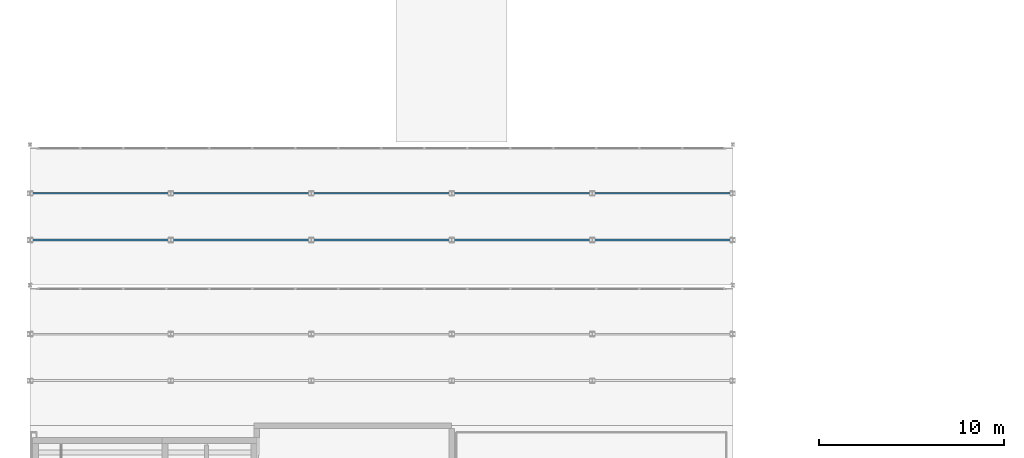
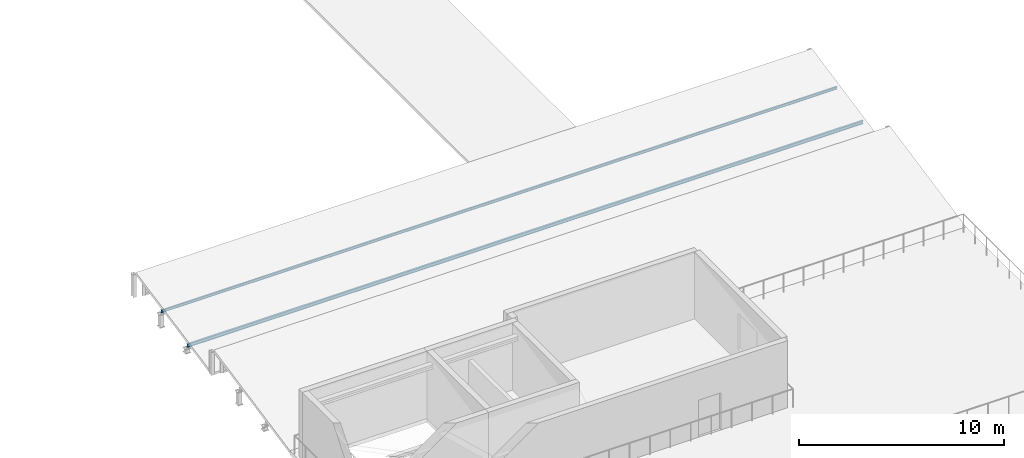
# One storey, part 24 of 114: 2 members.
"""IFC4 building model written with IfcOpenShell, lengths in metres."""

import ifcopenshell
import ifcopenshell.guid

model = None  # the IFC model being written
_history = None  # IfcOwnerHistory: only IFC2X3 demands one
_inside = {}  # id of a spatial element -> (the spatial element, [elements in it])
_under = {}  # id of a project, library or spatial element -> (it, [spatial elements below it])
_declared = {}  # id of a project -> (the project, [libraries it declares])
_typed = {}  # id of a type object -> (the type object, [elements of that type])
_made_of = {}  # id of a material, layer set ... -> (it, [elements and type objects made of it])


def new_model(schema):
    """Start an empty IFC model of exactly this schema.

    Asked for "IFC4X3", IfcOpenShell would pick the latest addendum, in which some entities
    have other attributes; the version numbers below select the first issue.
    IFC2X3 requires an IfcOwnerHistory on every rooted entity: one is made here for all.
    """
    global model, _history
    if schema == "IFC4X3":
        model = ifcopenshell.file(schema_version=(4, 3, 0, 0))
    else:
        model = ifcopenshell.file(schema=schema)
    _inside.clear()
    _under.clear()
    _declared.clear()
    _typed.clear()
    _made_of.clear()
    _history = None
    if model.schema == "IFC2X3":
        org = make("IfcOrganization", Name="unknown")
        user = make(
            "IfcPersonAndOrganization",
            ThePerson=make("IfcPerson", FamilyName="unknown"),
            TheOrganization=org,
        )
        app = make(
            "IfcApplication",
            ApplicationDeveloper=org,
            Version="unknown",
            ApplicationFullName="unknown",
            ApplicationIdentifier="unknown",
        )
        _history = make(
            "IfcOwnerHistory",
            OwningUser=user,
            OwningApplication=app,
            ChangeAction="ADDED",
            CreationDate=0,
        )
    return model


def make(cls, **values):
    """One entity of the class cls with the attributes given. An attribute that is None is left unset."""
    return model.create_entity(
        cls, **{name: value for name, value in values.items() if value is not None}
    )


def rooted(cls, **values):
    """An entity with a GlobalId (a new one), such as an element, a storey or a relation."""
    return make(cls, GlobalId=ifcopenshell.guid.new(), OwnerHistory=_history, **values)


def si_unit(unit_type, name, prefix=None):
    """IfcSIUnit, for example si_unit("LENGTHUNIT", "METRE", prefix="MILLI")."""
    return make("IfcSIUnit", UnitType=unit_type, Prefix=prefix, Name=name)


def assignment(units):
    """IfcUnitAssignment: the units of a project."""
    return None if units is None else make("IfcUnitAssignment", Units=units)


def point(xyz):
    """IfcCartesianPoint."""
    return None if xyz is None else make("IfcCartesianPoint", Coordinates=xyz)


def direction(xyz):
    """IfcDirection."""
    return None if xyz is None else make("IfcDirection", DirectionRatios=xyz)


def frame(location, z_axis=None, x_axis=None):
    """IfcAxis2Placement3D, a coordinate frame: its origin and axes. An axis left out is left unset."""
    return make(
        "IfcAxis2Placement3D",
        Location=point(location),
        Axis=direction(z_axis),
        RefDirection=direction(x_axis),
    )


def frame_2d(location, x_axis=None):
    """IfcAxis2Placement2D, a coordinate frame in the plane: its origin and x axis."""
    return make(
        "IfcAxis2Placement2D", Location=point(location), RefDirection=direction(x_axis)
    )


def origin():
    """The frame at (0, 0, 0) with its axes left unset."""
    return frame((0.0, 0.0, 0.0))


def origin_2d():
    """The frame at (0, 0) in the plane with its x axis left unset."""
    return frame_2d((0.0, 0.0))


def place(relative_to, where):
    """IfcLocalPlacement: puts the frame where relative to a parent placement (None: the world)."""
    return make(
        "IfcLocalPlacement", PlacementRelTo=relative_to, RelativePlacement=where
    )


def context(
    kind, dimensions, precision=None, world=None, true_north=None, identifier=None
):
    """IfcGeometricRepresentationContext, for example the 3D "Model" context."""
    return make(
        "IfcGeometricRepresentationContext",
        ContextIdentifier=identifier,
        ContextType=kind,
        CoordinateSpaceDimension=dimensions,
        Precision=precision,
        WorldCoordinateSystem=world,
        TrueNorth=true_north,
    )


def subcontext(parent, identifier, kind, view, scale=None):
    """IfcGeometricRepresentationSubContext, for example "Body" below "Model"."""
    return make(
        "IfcGeometricRepresentationSubContext",
        ContextIdentifier=identifier,
        ContextType=kind,
        ParentContext=parent,
        TargetScale=scale,
        TargetView=view,
    )


def project(units=None, contexts=None):
    """IfcProject with its units and contexts."""
    return rooted(
        "IfcProject",
        Name="project",
        RepresentationContexts=contexts,
        UnitsInContext=assignment(units),
    )


def spatial(cls, under=None, at=None, **own):
    """A site, building, storey or space (cls), placed at a placement, below another one or the project."""
    s = rooted(cls, ObjectPlacement=at, **own)
    if under is not None:
        _under.setdefault(under.id(), (under, []))[1].append(s)
    return s


def profile(cls, at=None, kind="AREA", **sizes):
    """A parametric profile (cls). Its sizes go by their IFC names, for example OverallWidth=200.0."""
    return make(cls, ProfileType=kind, Position=at, **sizes)


def i_section(**sizes):
    """IfcIShapeProfileDef."""
    return profile("IfcIShapeProfileDef", **sizes)


def extrude(swept, where, along, depth):
    """IfcExtrudedAreaSolid: the profile swept, set in the frame where, extruded along a direction by depth."""
    return make(
        "IfcExtrudedAreaSolid",
        SweptArea=swept,
        Position=where,
        ExtrudedDirection=direction(along),
        Depth=depth,
    )


def shape(context_of_items, identifier, shape_type, items):
    """IfcShapeRepresentation: the items that make up one representation, for example the "Body"."""
    return make(
        "IfcShapeRepresentation",
        ContextOfItems=context_of_items,
        RepresentationIdentifier=identifier,
        RepresentationType=shape_type,
        Items=items,
    )


def material(Name=None, Category=None):
    """IfcMaterial."""
    return make("IfcMaterial", Name=Name, Category=Category)


def material_profile(
    of_material, cross_section, Name=None, Category=None, Priority=None
):
    """IfcMaterialProfile: a cross section and its material."""
    return make(
        "IfcMaterialProfile",
        Name=Name,
        Material=of_material,
        Profile=cross_section,
        Priority=Priority,
        Category=Category,
    )


def profile_set(profiles, Name=None, composite=None):
    """IfcMaterialProfileSet."""
    return make(
        "IfcMaterialProfileSet",
        Name=Name,
        MaterialProfiles=profiles,
        CompositeProfile=composite,
    )


def made_of(thing, what):
    """Note that an element or type object is made of a material, layer set ...; save() writes the relation."""
    if what is not None:
        _made_of.setdefault(what.id(), (what, []))[1].append(thing)
    return thing


def type_object(cls, material=None, **own):
    """A type object (cls), such as IfcWallType, which elements share."""
    return made_of(rooted(cls, **own), material)


def element(
    cls,
    number,
    at=None,
    inside=None,
    cuts=None,
    type_object=None,
    material=None,
    context=None,
    identifier="Body",
    shape_type=None,
    held_by="IfcProductDefinitionShape",
    body=None,
    shapes=None,
    **own,
):
    """One element of the class cls, such as IfcWall. Its Tag is "e" and its number.

    at: its placement. inside: the storey or other place that contains it. cuts: it is an
    opening in that element (IfcRelVoidsElement). A single representation is given by context,
    identifier, shape_type and body (its items); several are given by shapes. held_by: the class
    of the entity that holds the representations. save() writes the other relations.
    """
    e = rooted(cls, Tag="e%d" % number, ObjectPlacement=at, **own)
    if body is not None:
        shapes = [shape(context, identifier, shape_type, body)]
    if shapes is not None:
        e.Representation = make(held_by, Representations=shapes)
    if inside is not None:
        _inside.setdefault(inside.id(), (inside, []))[1].append(e)
    if cuts is not None:
        rooted(
            "IfcRelVoidsElement", RelatingBuildingElement=cuts, RelatedOpeningElement=e
        )
    if type_object is not None:
        _typed.setdefault(type_object.id(), (type_object, []))[1].append(e)
    return made_of(e, material)


def aggregate(whole, parts):
    """IfcRelAggregates: a whole, such as a stair, and the parts it consists of."""
    return rooted("IfcRelAggregates", RelatingObject=whole, RelatedObjects=parts)


def save(model, path):
    """Write the relations noted so far, then the file.

    IfcRelAggregates (storeys below a building ...), IfcRelContainedInSpatialStructure (elements
    in a storey), IfcRelDefinesByType, IfcRelAssociatesMaterial and IfcRelDeclares: one each for
    every whole, place, type object, material and project.
    """
    for whole, parts in _under.values():
        aggregate(whole, parts)
    for where, things in _inside.values():
        rooted(
            "IfcRelContainedInSpatialStructure",
            RelatedElements=things,
            RelatingStructure=where,
        )
    for kind, things in _typed.values():
        rooted("IfcRelDefinesByType", RelatedObjects=things, RelatingType=kind)
    for what, things in _made_of.values():
        rooted("IfcRelAssociatesMaterial", RelatedObjects=things, RelatingMaterial=what)
    for by, libraries in _declared.values():
        rooted("IfcRelDeclares", RelatingContext=by, RelatedDefinitions=libraries)
    model.write(path)


model = new_model("IFC4")

# Units and contexts
model_context = context("Model", 3, precision=1e-05, world=origin(), true_north=direction((0.0, 1.0)))
body_context = subcontext(model_context, "Body", "Model", "MODEL_VIEW")
ifc_project = project(units=[si_unit("LENGTHUNIT", "METRE"), si_unit("AREAUNIT", "SQUARE_METRE"), si_unit("VOLUMEUNIT", "CUBIC_METRE"), si_unit("PLANEANGLEUNIT", "RADIAN"), si_unit("MASSUNIT", "GRAM", prefix="KILO")], contexts=[model_context])

# Site, building, storey
site_placement = place(None, origin())
site = spatial("IfcSite", under=ifc_project, at=site_placement, CompositionType="ELEMENT")
building_placement = place(site_placement, origin())
building = spatial("IfcBuilding", under=site, at=building_placement, Name="Montecoro Central Library", CompositionType="ELEMENT")
storey_placement = place(building_placement, frame((0.0, 0.0, 13.260009765625)))
storey = spatial("IfcBuildingStorey", under=building, at=storey_placement, Name="L03", CompositionType="ELEMENT", Elevation=13.260009765625)

# Members
ifc_material = material(Name="Steel S355", Category="steel")
ifc_material_profile_1 = material_profile(ifc_material, i_section(OverallWidth=0.08203125, OverallDepth=0.159912109375, WebThickness=0.0048828125, FlangeThickness=0.00732421875, at=origin_2d()), Name="IPE 160")
ifc_profile_set_1 = profile_set([ifc_material_profile_1], Name="Steel S355")
member_type_1 = type_object("IfcMemberType", Name="MB-PR-IPE160", PredefinedType="PURLIN", material=ifc_profile_set_1)
member_1_placement = place(storey_placement, frame((5.0, 32.758056640625, 0.6650390625), z_axis=(1.0, 0.0, 0.0), x_axis=(0.0, 1.0, 0.0)))
element("IfcMember", 1, at=member_1_placement, inside=storey, type_object=member_type_1, Name="V3-ROOF-PR2-67", PredefinedType="PURLIN", context=body_context, shape_type="SweptSolid", body=[
    extrude(i_section(OverallWidth=0.08203125, OverallDepth=0.159912109375, WebThickness=0.0048828125, FlangeThickness=0.00732421875, at=origin_2d()), origin(), (0.0, 0.0, 1.0), 38.0),
])
ifc_material_profile_2 = material_profile(ifc_material, i_section(OverallWidth=0.10009765625, OverallDepth=0.199951171875, WebThickness=0.005615234375, FlangeThickness=0.008544921875, at=origin_2d()), Name="IPE 200")
ifc_profile_set_2 = profile_set([ifc_material_profile_2], Name="Steel S355")
member_type_2 = type_object("IfcMemberType", Name="MB-PR-IPE200", PredefinedType="PURLIN", material=ifc_profile_set_2)
member_2_placement = place(storey_placement, frame((5.0, 30.241943359375, 0.155029296875), z_axis=(1.0, 0.0, 0.0), x_axis=(0.0, 1.0, 0.0)))
element("IfcMember", 2, at=member_2_placement, inside=storey, type_object=member_type_2, Name="V3-ROOF-PR2-33", PredefinedType="PURLIN", context=body_context, shape_type="SweptSolid", body=[
    extrude(i_section(OverallWidth=0.10009765625, OverallDepth=0.199951171875, WebThickness=0.005615234375, FlangeThickness=0.008544921875, at=origin_2d()), origin(), (0.0, 0.0, 1.0), 38.0),
])

save(model, "model.ifc")
